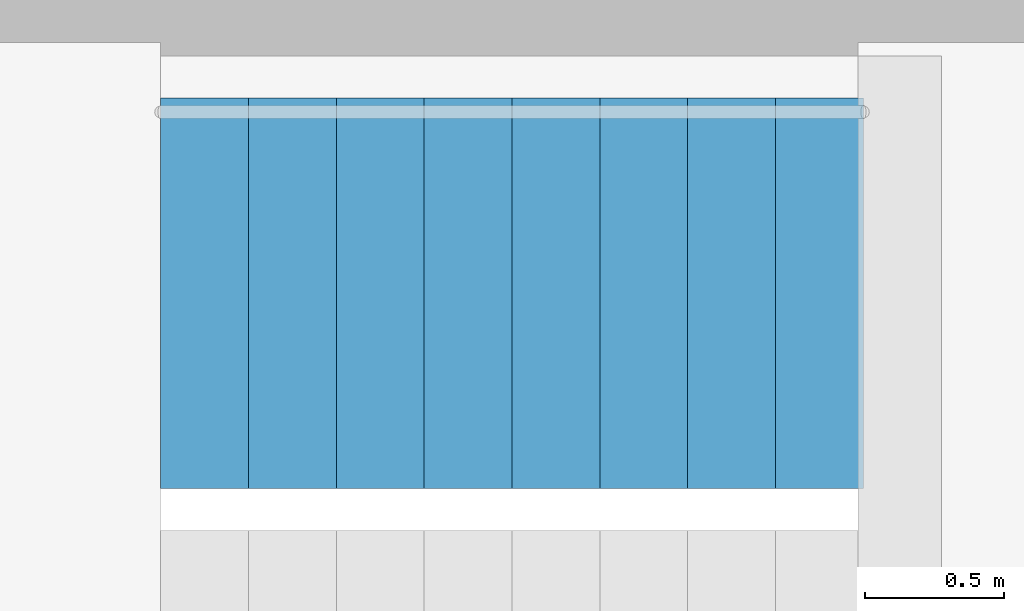
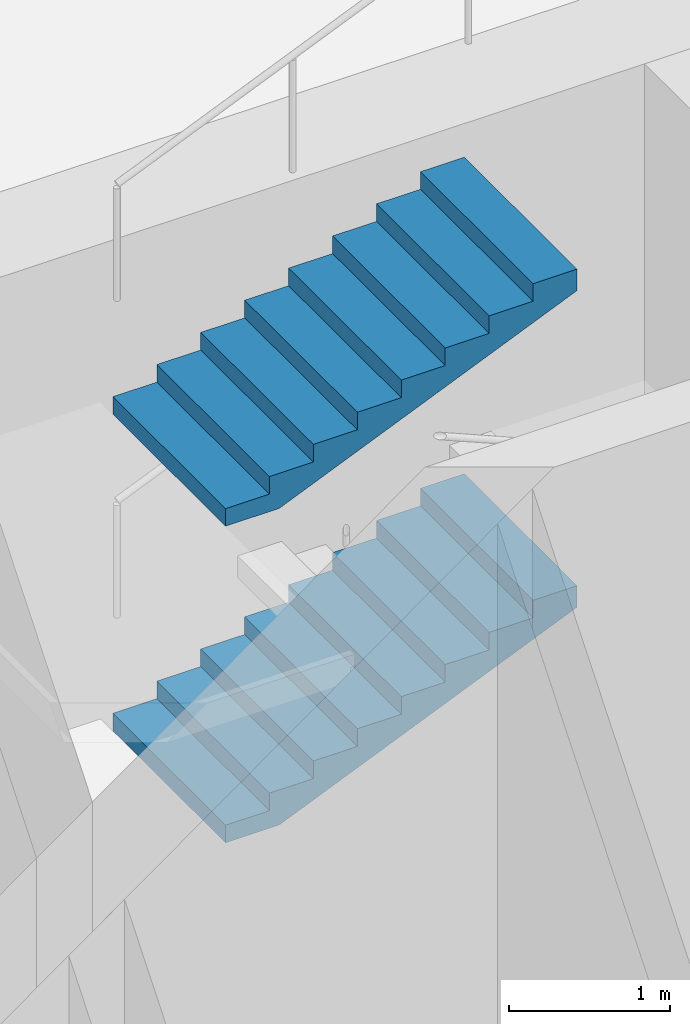
# One storey, part 6 of 7: 2 stair flights, 1 element without a shape of its own.
"""IFC4 building model written with IfcOpenShell, lengths in metres."""

from ifc_helpers import new_model, si_unit, direction, frame, origin, place, context, subcontext, project, spatial, polyline, outline, extrude, material, type_object, element, aggregate, save


model = new_model("IFC4")

# Units and contexts
model_context = context("Model", 3, precision=1e-05, world=origin(), true_north=direction((0.0, 1.0)))
body_context = subcontext(model_context, "Body", "Model", "MODEL_VIEW")
ifc_project = project(units=[si_unit("LENGTHUNIT", "METRE"), si_unit("AREAUNIT", "SQUARE_METRE"), si_unit("VOLUMEUNIT", "CUBIC_METRE"), si_unit("PLANEANGLEUNIT", "RADIAN"), si_unit("MASSUNIT", "GRAM", prefix="KILO")], contexts=[model_context])

# Site, building, storey
site_placement = place(None, origin())
site = spatial("IfcSite", under=ifc_project, at=site_placement, CompositionType="ELEMENT")
building_placement = place(site_placement, origin())
building = spatial("IfcBuilding", under=site, at=building_placement, Name="Hankou Lantern Tower", CompositionType="ELEMENT")
storey_placement = place(building_placement, frame((0.0, 0.0, 138.60009765625)))
storey = spatial("IfcBuildingStorey", under=building, at=storey_placement, Name="L36", CompositionType="ELEMENT", Elevation=138.60009765625)

# Stair, stair flights
ifc_material_1 = material(Name="Concrete C40", Category="concrete")
stair_type = type_object("IfcStairType", Name="ST48 CORE STAIR 4800 RISE", PredefinedType="HALF_TURN_STAIR", material=ifc_material_1)
stair_placement = place(storey_placement, origin())
stair = element("IfcStair", 1, at=stair_placement, inside=storey, type_object=stair_type, Name="Stair STA L36", PredefinedType="HALF_TURN_STAIR")
ifc_material_2 = material(Name="Concrete C40", Category="concrete")
stair_flight_type = type_object("IfcStairFlightType", Name="CF9 CORE STAIR FLIGHT 1400 X 9 RISERS", PredefinedType="STRAIGHT", material=ifc_material_2)
stair_flight_1_placement = place(storey_placement, frame((-6.949951171875, 6.75, 1.199951171875), z_axis=(0.0, 0.0, 1.0), x_axis=(1.0, 0.0, 0.0)))
stair_flight_1 = element("IfcStairFlight", 2, at=stair_flight_1_placement, type_object=stair_flight_type, Name="STA flight 2", NumberOfRisers=9, NumberOfTreads=8, PredefinedType="STRAIGHT", RiserHeight=0.133333333, TreadLength=0.315, context=body_context, shape_type="SweptSolid", body=[
    extrude(outline(polyline([(0.0, 0.0), (0.0, 0.13330078125), (0.31494140625, 0.13330078125), (0.31494140625, 0.2666015625), (0.6298828125, 0.2666015625), (0.6298828125, 0.39990234375), (0.945068359375, 0.39990234375), (0.945068359375, 0.533447265625), (1.260009765625, 0.533447265625), (1.260009765625, 0.666748046875), (1.574951171875, 0.666748046875), (1.574951171875, 0.800048828125), (1.889892578125, 0.800048828125), (1.889892578125, 0.933349609375), (2.205078125, 0.933349609375), (2.205078125, 1.066650390625), (2.52001953125, 1.066650390625), (2.52001953125, 1.199951171875), (2.52001953125, 0.90380859375), (0.384521484375, 0.0), (0.0, 0.0)])), frame((0.0, 0.699951171875, 0.0), z_axis=(0.0, -1.0, 0.0), x_axis=(1.0, 0.0, 0.0)), (0.0, 0.0, 1.0), 1.39990234375),
])
stair_flight_2_placement = place(storey_placement, frame((-6.949951171875, 6.75, 3.599853515625), z_axis=(0.0, 0.0, 1.0), x_axis=(1.0, 0.0, 0.0)))
stair_flight_2 = element("IfcStairFlight", 3, at=stair_flight_2_placement, type_object=stair_flight_type, Name="STA flight 4", NumberOfRisers=9, NumberOfTreads=8, PredefinedType="STRAIGHT", RiserHeight=0.133333333, TreadLength=0.315, context=body_context, shape_type="SweptSolid", body=[
    extrude(outline(polyline([(0.0, 0.0), (0.0, 0.13330078125), (0.31494140625, 0.13330078125), (0.31494140625, 0.2666015625), (0.6298828125, 0.2666015625), (0.6298828125, 0.39990234375), (0.945068359375, 0.39990234375), (0.945068359375, 0.533447265625), (1.260009765625, 0.533447265625), (1.260009765625, 0.666748046875), (1.574951171875, 0.666748046875), (1.574951171875, 0.800048828125), (1.889892578125, 0.800048828125), (1.889892578125, 0.933349609375), (2.205078125, 0.933349609375), (2.205078125, 1.066650390625), (2.52001953125, 1.066650390625), (2.52001953125, 1.199951171875), (2.52001953125, 0.90380859375), (0.384521484375, 0.0), (0.0, 0.0)])), frame((0.0, 0.699951171875, 0.0), z_axis=(0.0, -1.0, 0.0), x_axis=(1.0, 0.0, 0.0)), (0.0, 0.0, 1.0), 1.39990234375),
])
aggregate(stair, [stair_flight_1, stair_flight_2])

save(model, "model.ifc")
